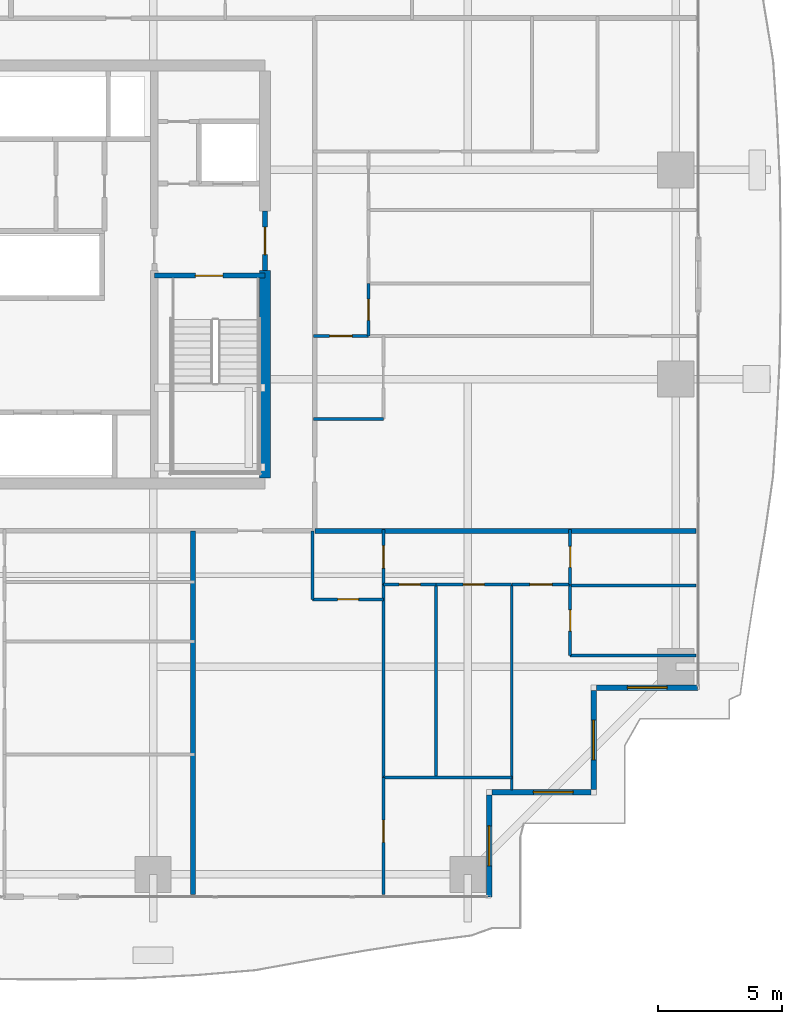
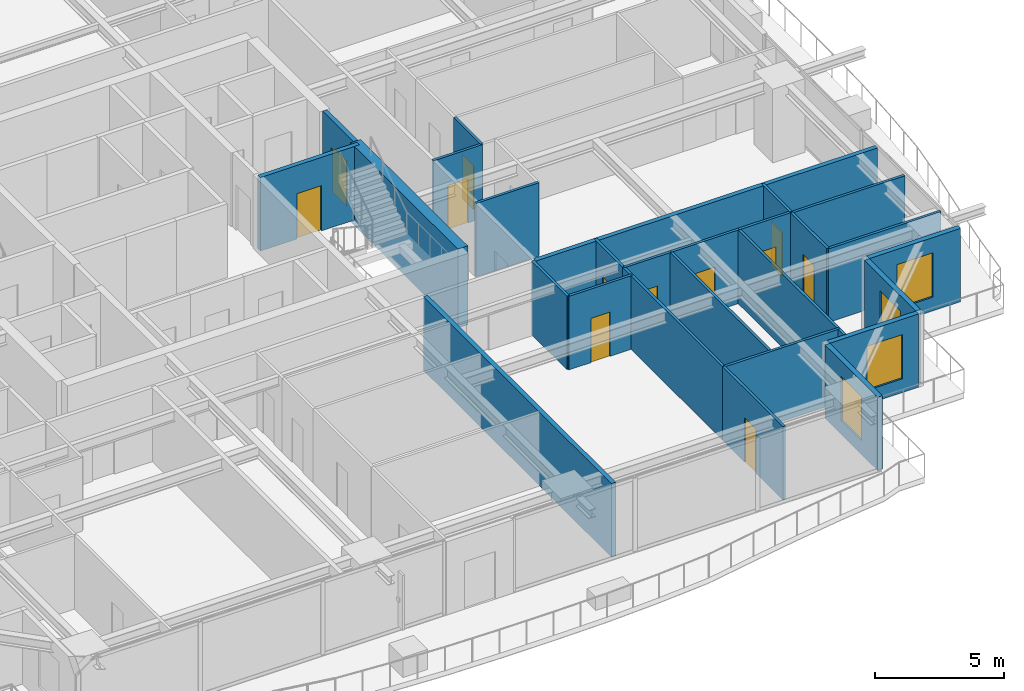
# One storey, part 29 of 39: 27 walls, 12 doors, 4 windows, 16 openings.
"""IFC4 building model written with IfcOpenShell, lengths in metres."""

from ifc_helpers import new_model, si_unit, direction, frame, frame_2d, origin, place, context, subcontext, project, spatial, rectangle, extrude, source, transform, mapped, material, layer, layer_set, type_object, element, fill, save


model = new_model("IFC4")

# Units and contexts
model_context = context("Model", 3, precision=1e-05, world=origin(), true_north=direction((0.0, 1.0)))
body_context = subcontext(model_context, "Body", "Model", "MODEL_VIEW")
ifc_project = project(units=[si_unit("LENGTHUNIT", "METRE"), si_unit("AREAUNIT", "SQUARE_METRE"), si_unit("VOLUMEUNIT", "CUBIC_METRE"), si_unit("PLANEANGLEUNIT", "RADIAN"), si_unit("MASSUNIT", "GRAM", prefix="KILO")], contexts=[model_context])

# Site, building, storey
site_placement = place(None, origin())
site = spatial("IfcSite", under=ifc_project, at=site_placement, CompositionType="ELEMENT")
building_placement = place(site_placement, origin())
building = spatial("IfcBuilding", under=site, at=building_placement, Name="Serunith Strait Residences", CompositionType="ELEMENT")
storey_placement = place(building_placement, frame((0.0, 0.0, 64.199951171875)))
storey = spatial("IfcBuildingStorey", under=building, at=storey_placement, Name="L15", CompositionType="ELEMENT", Elevation=64.199951171875)

# Wall, opening, window
ifc_material_1 = material(Name="Pale-Champagne Aluminium Insulated Panel", Category="aluminium")
ifc_layer_1 = layer(ifc_material_1, 0.219970703125, Name="Pale-Champagne Aluminium Insulated Panel")
ifc_layer_set_1 = layer_set([ifc_layer_1], Name="Pale-Champagne Aluminium Insulated Panel")
wall_type_1 = type_object("IfcWallType", Name="EW-ALUM-220", PredefinedType="ELEMENTEDWALL", material=ifc_layer_set_1)
wall_1_placement = place(storey_placement, frame((50.39990234375, 0.199951171875, 0.0), z_axis=(0.0, 0.0, 1.0), x_axis=(0.0, 1.0, 0.0)))
wall_1 = element("IfcWall", 1, at=wall_1_placement, inside=storey, type_object=wall_type_1, Name="L15 Girih Serrated Corner Wall 02", PredefinedType="ELEMENTEDWALL", context=body_context, shape_type="SweptSolid", body=[
    extrude(rectangle(XDim=4.090087890625, YDim=0.219970703125, at=frame_2d((2.044921875, 0.0))), origin(), (0.0, 0.0, 1.0), 3.47509765625),
])
opening_1_placement = place(wall_1_placement, frame((1.2451171875, 0.0, 0.64990234375)))
opening_1 = element("IfcOpeningElement", 2, at=opening_1_placement, cuts=wall_1, Name="Opening W-02", PredefinedType="OPENING", context=body_context, shape_type="SweptSolid", body=[
    extrude(rectangle(XDim=1.60009765625, YDim=2.10009765625, at=frame_2d((0.800048828125, 1.050048828125))), frame((0.0, 0.1201171875, 0.0), z_axis=(0.0, -1.0, 0.0), x_axis=(1.0, 0.0, 0.0)), (0.0, 0.0, 1.0), 0.239990234375),
])
ifc_material_2 = material(Name="Ceramic-Fritted Operable Aluminium Window Glass", Category="aluminium")
window_type = type_object("IfcWindowType", Name="WIN-C2", PartitioningType="DOUBLE_PANEL_VERTICAL", PredefinedType="WINDOW", material=ifc_material_2)
shared_shape_1 = source(origin(), body_context, "Body", "SweptSolid", [
    extrude(rectangle(XDim=1.60009765625, YDim=2.10009765625, at=frame_2d((0.800048828125, 1.050048828125))), frame((0.0, 0.030029296875, 0.0), z_axis=(0.0, -1.0, 0.0), x_axis=(1.0, 0.0, 0.0)), (0.0, 0.0, 1.0), 0.06005859375),
])
window_1_placement = place(opening_1_placement, origin())
window_1 = element("IfcWindow", 3, at=window_1_placement, inside=storey, type_object=window_type, Name="L15 Corner Operable Fritted Window 02", OverallHeight=2.10009765625, OverallWidth=1.60009765625, PartitioningType="SINGLE_PANEL", PredefinedType="WINDOW", context=body_context, shape_type="MappedRepresentation", body=[
    mapped(shared_shape_1, transform((0.0, 0.0, 0.0), scale=1.0)),
])
fill(opening_1, window_1)

wall_2_placement = place(storey_placement, frame((50.510009765625, 4.39990234375, 0.0), z_axis=(0.0, 0.0, 1.0), x_axis=(1.0, 0.0, 0.0)))
wall_2 = element("IfcWall", 4, at=wall_2_placement, inside=storey, type_object=wall_type_1, Name="L15 Girih Serrated Corner Wall 03", PredefinedType="ELEMENTEDWALL", context=body_context, shape_type="SweptSolid", body=[
    extrude(rectangle(XDim=3.97998046875, YDim=0.219970703125, at=frame_2d((1.989990234375, 0.0))), origin(), (0.0, 0.0, 1.0), 3.47509765625),
])
opening_2_placement = place(wall_2_placement, frame((1.666015625, 0.0, 0.64990234375)))
opening_2 = element("IfcOpeningElement", 5, at=opening_2_placement, cuts=wall_2, Name="Opening W-02", PredefinedType="OPENING", context=body_context, shape_type="SweptSolid", body=[
    extrude(rectangle(XDim=1.60009765625, YDim=2.10009765625, at=frame_2d((0.800048828125, 1.050048828125))), frame((0.0, 0.1201171875, 0.0), z_axis=(0.0, -1.0, 0.0), x_axis=(1.0, 0.0, 0.0)), (0.0, 0.0, 1.0), 0.239990234375),
])
window_2_placement = place(opening_2_placement, origin())
window_2 = element("IfcWindow", 6, at=window_2_placement, inside=storey, type_object=window_type, Name="L15 Corner Operable Fritted Window 03", OverallHeight=2.10009765625, OverallWidth=1.60009765625, PartitioningType="SINGLE_PANEL", PredefinedType="WINDOW", context=body_context, shape_type="MappedRepresentation", body=[
    mapped(shared_shape_1, transform((0.0, 0.0, 0.0), scale=1.0)),
])
fill(opening_2, window_2)

wall_3_placement = place(storey_placement, frame((54.60009765625, 4.510009765625, 0.0), z_axis=(0.0, 0.0, 1.0), x_axis=(0.0, 1.0, 0.0)))
wall_3 = element("IfcWall", 7, at=wall_3_placement, inside=storey, type_object=wall_type_1, Name="L15 Girih Serrated Corner Wall 04", PredefinedType="ELEMENTEDWALL", context=body_context, shape_type="SweptSolid", body=[
    extrude(rectangle(XDim=3.97998046875, YDim=0.219970703125, at=frame_2d((1.989990234375, 0.0))), origin(), (0.0, 0.0, 1.0), 3.47509765625),
])
opening_3_placement = place(wall_3_placement, frame((1.18994140625, 0.0, 0.64990234375)))
opening_3 = element("IfcOpeningElement", 8, at=opening_3_placement, cuts=wall_3, Name="Opening W-02", PredefinedType="OPENING", context=body_context, shape_type="SweptSolid", body=[
    extrude(rectangle(XDim=1.60009765625, YDim=2.10009765625, at=frame_2d((0.800048828125, 1.050048828125))), frame((0.0, 0.1201171875, 0.0), z_axis=(0.0, -1.0, 0.0), x_axis=(1.0, 0.0, 0.0)), (0.0, 0.0, 1.0), 0.239990234375),
])
window_3_placement = place(opening_3_placement, origin())
window_3 = element("IfcWindow", 9, at=window_3_placement, inside=storey, type_object=window_type, Name="L15 Corner Operable Fritted Window 04", OverallHeight=2.10009765625, OverallWidth=1.60009765625, PartitioningType="SINGLE_PANEL", PredefinedType="WINDOW", context=body_context, shape_type="MappedRepresentation", body=[
    mapped(shared_shape_1, transform((0.0, 0.0, 0.0), scale=1.0)),
])
fill(opening_3, window_3)

wall_4_placement = place(storey_placement, frame((54.7099609375, 8.60009765625, 0.0), z_axis=(0.0, 0.0, 1.0), x_axis=(1.0, 0.0, 0.0)))
wall_4 = element("IfcWall", 10, at=wall_4_placement, inside=storey, type_object=wall_type_1, Name="L15 Girih Serrated Corner Wall 05", PredefinedType="ELEMENTEDWALL", context=body_context, shape_type="SweptSolid", body=[
    extrude(rectangle(XDim=4.090087890625, YDim=0.219970703125, at=frame_2d((2.044921875, 0.0))), origin(), (0.0, 0.0, 1.0), 3.47509765625),
])
opening_4_placement = place(wall_4_placement, frame((1.2451171875, 0.0, 0.64990234375)))
opening_4 = element("IfcOpeningElement", 11, at=opening_4_placement, cuts=wall_4, Name="Opening W-02", PredefinedType="OPENING", context=body_context, shape_type="SweptSolid", body=[
    extrude(rectangle(XDim=1.60009765625, YDim=2.10009765625, at=frame_2d((0.800048828125, 1.050048828125))), frame((0.0, 0.1201171875, 0.0), z_axis=(0.0, -1.0, 0.0), x_axis=(1.0, 0.0, 0.0)), (0.0, 0.0, 1.0), 0.239990234375),
])
window_4_placement = place(opening_4_placement, origin())
window_4 = element("IfcWindow", 12, at=window_4_placement, inside=storey, type_object=window_type, Name="L15 Corner Operable Fritted Window 05", OverallHeight=2.10009765625, OverallWidth=1.60009765625, PartitioningType="SINGLE_PANEL", PredefinedType="WINDOW", context=body_context, shape_type="MappedRepresentation", body=[
    mapped(shared_shape_1, transform((0.0, 0.0, 0.0), scale=1.0)),
])
fill(opening_4, window_4)

# Wall, opening, door
ifc_material_3 = material(Name="Lightweight steel-stud gypsum partition", Category="steel")
ifc_layer_2 = layer(ifc_material_3, 0.1201171875, Name="Lightweight steel-stud gypsum partition")
ifc_layer_set_2 = layer_set([ifc_layer_2], Name="Lightweight steel-stud gypsum partition")
wall_type_2 = type_object("IfcWallType", Name="IW-PART-120", PredefinedType="PARTITIONING", material=ifc_layer_set_2)
wall_5_placement = place(storey_placement, frame((43.31005859375, 12.14990234375, 0.0), z_axis=(0.0, 0.0, 1.0), x_axis=(1.0, 0.0, 0.0)))
wall_5 = element("IfcWall", 13, at=wall_5_placement, inside=storey, type_object=wall_type_2, Name="L15 Partition Wall 049", PredefinedType="PARTITIONING", context=body_context, shape_type="SweptSolid", body=[
    extrude(rectangle(XDim=2.849853515625, YDim=0.1201171875, at=frame_2d((1.4248046875, 0.0))), origin(), (0.0, 0.0, 1.0), 3.489990234375),
])
opening_5_placement = place(wall_5_placement, frame((1.0, 0.0, 0.0)))
opening_5 = element("IfcOpeningElement", 14, at=opening_5_placement, cuts=wall_5, Name="Opening D-RM850", PredefinedType="OPENING", context=body_context, shape_type="SweptSolid", body=[
    extrude(rectangle(XDim=0.85009765625, YDim=2.10009765625, at=frame_2d((0.425048828125, 1.050048828125))), frame((0.0, 0.070068359375, 0.0), z_axis=(0.0, -1.0, 0.0), x_axis=(1.0, 0.0, 0.0)), (0.0, 0.0, 1.0), 0.14013671875),
])
ifc_material_4 = material(Name="Engineered timber flush study and kitchen door", Category="wood")
door_type_1 = type_object("IfcDoorType", Name="ID-ROOM-850", OperationType="NOTDEFINED", PredefinedType="DOOR", material=ifc_material_4)
shared_shape_2 = source(origin(), body_context, "Body", "SweptSolid", [
    extrude(rectangle(XDim=0.85009765625, YDim=2.10009765625, at=frame_2d((0.425048828125, 1.050048828125))), frame((0.0, 0.02490234375, 0.0), z_axis=(0.0, -1.0, 0.0), x_axis=(1.0, 0.0, 0.0)), (0.0, 0.0, 1.0), 0.050048828125),
])
door_1_placement = place(opening_5_placement, origin())
door_1 = element("IfcDoor", 15, at=door_1_placement, inside=storey, type_object=door_type_1, Name="L15 Kitchen 1503 Door", OperationType="SINGLE_SWING_LEFT", OverallHeight=2.10009765625, OverallWidth=0.85009765625, PredefinedType="DOOR", context=body_context, shape_type="MappedRepresentation", body=[
    mapped(shared_shape_2, transform((0.0, 0.0, 0.0), scale=1.0)),
])
fill(opening_5, door_1)

# Wall
wall_6_placement = place(storey_placement, frame((43.31005859375, 12.14990234375, 0.0), z_axis=(0.0, 0.0, 1.0), x_axis=(0.0, 1.0, 0.0)))
element("IfcWall", 16, at=wall_6_placement, inside=storey, type_object=wall_type_2, Name="L15 Partition Wall 050", PredefinedType="PARTITIONING", context=body_context, shape_type="SweptSolid", body=[
    extrude(rectangle(XDim=2.748046875, YDim=0.1201171875, at=frame_2d((1.3740234375, 0.0))), origin(), (0.0, 0.0, 1.0), 3.489990234375),
])

# Wall, opening, door
wall_7_placement = place(storey_placement, frame((46.159912109375, 12.75, 0.0), z_axis=(0.0, 0.0, 1.0), x_axis=(0.0, 1.0, 0.0)))
wall_7 = element("IfcWall", 17, at=wall_7_placement, inside=storey, type_object=wall_type_2, Name="L15 Partition Wall 051", PredefinedType="PARTITIONING", context=body_context, shape_type="SweptSolid", body=[
    extrude(rectangle(XDim=2.2099609375, YDim=0.1201171875, at=frame_2d((1.10498046875, 0.0))), origin(), (0.0, 0.0, 1.0), 3.489990234375),
])
opening_6_placement = place(wall_7_placement, frame((0.655029296875, 0.0, 0.0)))
opening_6 = element("IfcOpeningElement", 18, at=opening_6_placement, cuts=wall_7, Name="Opening D-RM900", PredefinedType="OPENING", context=body_context, shape_type="SweptSolid", body=[
    extrude(rectangle(XDim=0.89990234375, YDim=2.10009765625, at=frame_2d((0.449951171875, 1.050048828125))), frame((0.0, 0.070068359375, 0.0), z_axis=(0.0, -1.0, 0.0), x_axis=(1.0, 0.0, 0.0)), (0.0, 0.0, 1.0), 0.14013671875),
])
ifc_material_5 = material(Name="Engineered timber flush bedroom door", Category="wood")
door_type_2 = type_object("IfcDoorType", Name="ID-ROOM-900", OperationType="NOTDEFINED", PredefinedType="DOOR", material=ifc_material_5)
shared_shape_3 = source(origin(), body_context, "Body", "SweptSolid", [
    extrude(rectangle(XDim=0.89990234375, YDim=2.10009765625, at=frame_2d((0.449951171875, 1.050048828125))), frame((0.0, 0.02490234375, 0.0), z_axis=(0.0, -1.0, 0.0), x_axis=(1.0, 0.0, 0.0)), (0.0, 0.0, 1.0), 0.050048828125),
])
door_2_placement = place(opening_6_placement, origin())
door_2 = element("IfcDoor", 19, at=door_2_placement, inside=storey, type_object=door_type_2, Name="L15 Hall E 1503 Door", OperationType="SINGLE_SWING_RIGHT", OverallHeight=2.10009765625, OverallWidth=0.89990234375, PredefinedType="DOOR", context=body_context, shape_type="MappedRepresentation", body=[
    mapped(shared_shape_3, transform((0.0, 0.0, 0.0), scale=1.0)),
])
fill(opening_6, door_2)

wall_8_placement = place(storey_placement, frame((46.159912109375, 0.294921875, 0.0), z_axis=(0.0, 0.0, 1.0), x_axis=(0.0, 1.0, 0.0)))
wall_8 = element("IfcWall", 20, at=wall_8_placement, inside=storey, type_object=wall_type_2, Name="L15 Partition Wall 052", PredefinedType="PARTITIONING", context=body_context, shape_type="SweptSolid", body=[
    extrude(rectangle(XDim=4.693115234375, YDim=0.1201171875, at=frame_2d((2.3466796875, 0.0))), origin(), (0.0, 0.0, 1.0), 3.489990234375),
])
opening_7_placement = place(wall_8_placement, frame((2.0859375, 0.0, 0.0)))
opening_7 = element("IfcOpeningElement", 21, at=opening_7_placement, cuts=wall_8, Name="Opening D-RM900", PredefinedType="OPENING", context=body_context, shape_type="SweptSolid", body=[
    extrude(rectangle(XDim=0.89990234375, YDim=2.10009765625, at=frame_2d((0.449951171875, 1.050048828125))), frame((0.0, 0.070068359375, 0.0), z_axis=(0.0, -1.0, 0.0), x_axis=(1.0, 0.0, 0.0)), (0.0, 0.0, 1.0), 0.14013671875),
])
door_3_placement = place(opening_7_placement, origin())
door_3 = element("IfcDoor", 22, at=door_3_placement, inside=storey, type_object=door_type_2, Name="L15 Study 1 1503 Door", OperationType="SINGLE_SWING_LEFT", OverallHeight=2.10009765625, OverallWidth=0.89990234375, PredefinedType="DOOR", context=body_context, shape_type="MappedRepresentation", body=[
    mapped(shared_shape_3, transform((0.0, 0.0, 0.0), scale=1.0)),
])
fill(opening_7, door_3)

# Walls
wall_9_placement = place(storey_placement, frame((46.159912109375, 4.989990234375, 0.0), z_axis=(0.0, 0.0, 1.0), x_axis=(0.0, 1.0, 0.0)))
element("IfcWall", 23, at=wall_9_placement, inside=storey, type_object=wall_type_2, Name="L15 Partition Wall 053", PredefinedType="PARTITIONING", context=body_context, shape_type="SweptSolid", body=[
    extrude(rectangle(XDim=7.758056640625, YDim=0.1201171875, at=frame_2d((3.87890625, 0.0))), origin(), (0.0, 0.0, 1.0), 3.489990234375),
])
wall_10_placement = place(storey_placement, frame((46.159912109375, 4.988037109375, 0.0), z_axis=(0.0, 0.0, 1.0), x_axis=(1.0, 0.0, 0.0)))
element("IfcWall", 24, at=wall_10_placement, inside=storey, type_object=wall_type_2, Name="L15 Partition Wall 054", PredefinedType="PARTITIONING", context=body_context, shape_type="SweptSolid", body=[
    extrude(rectangle(XDim=5.150146484375, YDim=0.1201171875, at=frame_2d((2.5751953125, 0.0))), origin(), (0.0, 0.0, 1.0), 3.489990234375),
])
wall_11_placement = place(storey_placement, frame((51.31005859375, 4.4951171875, 0.0), z_axis=(0.0, 0.0, 1.0), x_axis=(0.0, 1.0, 0.0)))
element("IfcWall", 25, at=wall_11_placement, inside=storey, type_object=wall_type_2, Name="L15 Partition Wall 055", PredefinedType="PARTITIONING", context=body_context, shape_type="SweptSolid", body=[
    extrude(rectangle(XDim=8.2548828125, YDim=0.1201171875, at=frame_2d((4.12744140625, 0.0))), origin(), (0.0, 0.0, 1.0), 3.489990234375),
])
wall_12_placement = place(storey_placement, frame((48.260009765625, 4.988037109375, 0.0), z_axis=(0.0, 0.0, 1.0), x_axis=(0.0, 1.0, 0.0)))
element("IfcWall", 26, at=wall_12_placement, inside=storey, type_object=wall_type_2, Name="L15 Partition Wall 056", PredefinedType="PARTITIONING", context=body_context, shape_type="SweptSolid", body=[
    extrude(rectangle(XDim=7.761962890625, YDim=0.1201171875, at=frame_2d((3.880859375, 0.0))), origin(), (0.0, 0.0, 1.0), 3.489990234375),
])

# Wall, opening, door
wall_13_placement = place(storey_placement, frame((46.159912109375, 12.75, 0.0), z_axis=(0.0, 0.0, 1.0), x_axis=(1.0, 0.0, 0.0)))
wall_13 = element("IfcWall", 27, at=wall_13_placement, inside=storey, type_object=wall_type_2, Name="L15 Partition Wall 057", PredefinedType="PARTITIONING", context=body_context, shape_type="SweptSolid", body=[
    extrude(rectangle(XDim=2.10009765625, YDim=0.1201171875, at=frame_2d((1.050048828125, 0.0))), origin(), (0.0, 0.0, 1.0), 3.489990234375),
])
opening_8_placement = place(wall_13_placement, frame((0.625, 0.0, 0.0)))
opening_8 = element("IfcOpeningElement", 28, at=opening_8_placement, cuts=wall_13, Name="Opening D-BTH850", PredefinedType="OPENING", context=body_context, shape_type="SweptSolid", body=[
    extrude(rectangle(XDim=0.85009765625, YDim=2.10009765625, at=frame_2d((0.425048828125, 1.050048828125))), frame((0.0, 0.070068359375, 0.0), z_axis=(0.0, -1.0, 0.0), x_axis=(1.0, 0.0, 0.0)), (0.0, 0.0, 1.0), 0.14013671875),
])
ifc_material_6 = material(Name="Moisture-resistant timber bathroom door", Category="wood")
door_type_3 = type_object("IfcDoorType", Name="ID-BATH-850", OperationType="NOTDEFINED", PredefinedType="DOOR", material=ifc_material_6)
door_4_placement = place(opening_8_placement, origin())
door_4 = element("IfcDoor", 29, at=door_4_placement, inside=storey, type_object=door_type_3, Name="L15 Bathroom 1503 Door", OperationType="SINGLE_SWING_RIGHT", OverallHeight=2.10009765625, OverallWidth=0.85009765625, PredefinedType="DOOR", context=body_context, shape_type="MappedRepresentation", body=[
    mapped(shared_shape_2, transform((0.0, 0.0, 0.0), scale=1.0)),
])
fill(opening_8, door_4)

wall_14_placement = place(storey_placement, frame((48.261962890625, 12.75, 0.0), z_axis=(0.0, 0.0, 1.0), x_axis=(1.0, 0.0, 0.0)))
wall_14 = element("IfcWall", 30, at=wall_14_placement, inside=storey, type_object=wall_type_2, Name="L15 Partition Wall 058", PredefinedType="PARTITIONING", context=body_context, shape_type="SweptSolid", body=[
    extrude(rectangle(XDim=3.048095703125, YDim=0.1201171875, at=frame_2d((1.52392578125, 0.0))), origin(), (0.0, 0.0, 1.0), 3.489990234375),
])
opening_9_placement = place(wall_14_placement, frame((1.09912109375, 0.0, 0.0)))
opening_9 = element("IfcOpeningElement", 31, at=opening_9_placement, cuts=wall_14, Name="Opening D-RM850", PredefinedType="OPENING", context=body_context, shape_type="SweptSolid", body=[
    extrude(rectangle(XDim=0.85009765625, YDim=2.10009765625, at=frame_2d((0.425048828125, 1.050048828125))), frame((0.0, 0.070068359375, 0.0), z_axis=(0.0, -1.0, 0.0), x_axis=(1.0, 0.0, 0.0)), (0.0, 0.0, 1.0), 0.14013671875),
])
door_5_placement = place(opening_9_placement, origin())
door_5 = element("IfcDoor", 32, at=door_5_placement, inside=storey, type_object=door_type_1, Name="L15 Study 1503 Door", OperationType="SINGLE_SWING_LEFT", OverallHeight=2.10009765625, OverallWidth=0.85009765625, PredefinedType="DOOR", context=body_context, shape_type="MappedRepresentation", body=[
    mapped(shared_shape_2, transform((0.0, 0.0, 0.0), scale=1.0)),
])
fill(opening_9, door_5)

wall_15_placement = place(storey_placement, frame((51.31201171875, 12.75, 0.0), z_axis=(0.0, 0.0, 1.0), x_axis=(1.0, 0.0, 0.0)))
wall_15 = element("IfcWall", 33, at=wall_15_placement, inside=storey, type_object=wall_type_2, Name="L15 Partition Wall 059", PredefinedType="PARTITIONING", context=body_context, shape_type="SweptSolid", body=[
    extrude(rectangle(XDim=2.347900390625, YDim=0.1201171875, at=frame_2d((1.173828125, 0.0))), origin(), (0.0, 0.0, 1.0), 3.489990234375),
])
opening_10_placement = place(wall_15_placement, frame((0.72412109375, 0.0, 0.0)))
opening_10 = element("IfcOpeningElement", 34, at=opening_10_placement, cuts=wall_15, Name="Opening D-RM900", PredefinedType="OPENING", context=body_context, shape_type="SweptSolid", body=[
    extrude(rectangle(XDim=0.89990234375, YDim=2.10009765625, at=frame_2d((0.449951171875, 1.050048828125))), frame((0.0, 0.070068359375, 0.0), z_axis=(0.0, -1.0, 0.0), x_axis=(1.0, 0.0, 0.0)), (0.0, 0.0, 1.0), 0.14013671875),
])
door_6_placement = place(opening_10_placement, origin())
door_6 = element("IfcDoor", 35, at=door_6_placement, inside=storey, type_object=door_type_2, Name="L15 Master Bedroom E 1503 Door", OperationType="SINGLE_SWING_RIGHT", OverallHeight=2.10009765625, OverallWidth=0.89990234375, PredefinedType="DOOR", context=body_context, shape_type="MappedRepresentation", body=[
    mapped(shared_shape_3, transform((0.0, 0.0, 0.0), scale=1.0)),
])
fill(opening_10, door_6)

# Walls
wall_16_placement = place(storey_placement, frame((53.659912109375, 9.89404296875, 0.0), z_axis=(0.0, 0.0, 1.0), x_axis=(1.0, 0.0, 0.0)))
element("IfcWall", 36, at=wall_16_placement, inside=storey, type_object=wall_type_2, Name="L15 Partition Wall 060", PredefinedType="PARTITIONING", context=body_context, shape_type="SweptSolid", body=[
    extrude(rectangle(XDim=5.045166015625, YDim=0.1201171875, at=frame_2d((2.5224609375, 0.0))), origin(), (0.0, 0.0, 1.0), 3.489990234375),
])
wall_17_placement = place(storey_placement, frame((53.662109375, 12.701904296875, 0.0), z_axis=(0.0, 0.0, 1.0), x_axis=(1.0, 0.0, 0.0)))
element("IfcWall", 37, at=wall_17_placement, inside=storey, type_object=wall_type_2, Name="L15 Partition Wall 061", PredefinedType="PARTITIONING", context=body_context, shape_type="SweptSolid", body=[
    extrude(rectangle(XDim=5.04296875, YDim=0.1201171875, at=frame_2d((2.521484375, 0.0))), origin(), (0.0, 0.0, 1.0), 3.489990234375),
])

# Wall, opening, door
wall_18_placement = place(storey_placement, frame((53.659912109375, 9.89404296875, 0.0), z_axis=(0.0, 0.0, 1.0), x_axis=(0.0, 1.0, 0.0)))
wall_18 = element("IfcWall", 38, at=wall_18_placement, inside=storey, type_object=wall_type_2, Name="L15 Partition Wall 062", PredefinedType="PARTITIONING", context=body_context, shape_type="SweptSolid", body=[
    extrude(rectangle(XDim=2.807861328125, YDim=0.1201171875, at=frame_2d((1.40380859375, 0.0))), origin(), (0.0, 0.0, 1.0), 3.489990234375),
])
opening_11_placement = place(wall_18_placement, frame((0.97900390625, 0.0, 0.0)))
opening_11 = element("IfcOpeningElement", 39, at=opening_11_placement, cuts=wall_18, Name="Opening D-BTH850", PredefinedType="OPENING", context=body_context, shape_type="SweptSolid", body=[
    extrude(rectangle(XDim=0.85009765625, YDim=2.10009765625, at=frame_2d((0.425048828125, 1.050048828125))), frame((0.0, 0.070068359375, 0.0), z_axis=(0.0, -1.0, 0.0), x_axis=(1.0, 0.0, 0.0)), (0.0, 0.0, 1.0), 0.14013671875),
])
door_7_placement = place(opening_11_placement, origin())
door_7 = element("IfcDoor", 40, at=door_7_placement, inside=storey, type_object=door_type_3, Name="L15 En-suite Bathroom E 1503 Door", OperationType="SINGLE_SWING_LEFT", OverallHeight=2.10009765625, OverallWidth=0.85009765625, PredefinedType="DOOR", context=body_context, shape_type="MappedRepresentation", body=[
    mapped(shared_shape_2, transform((0.0, 0.0, 0.0), scale=1.0)),
])
fill(opening_11, door_7)

wall_19_placement = place(storey_placement, frame((53.659912109375, 12.75, 0.0), z_axis=(0.0, 0.0, 1.0), x_axis=(0.0, 1.0, 0.0)))
wall_19 = element("IfcWall", 41, at=wall_19_placement, inside=storey, type_object=wall_type_2, Name="L15 Partition Wall 063", PredefinedType="PARTITIONING", context=body_context, shape_type="SweptSolid", body=[
    extrude(rectangle(XDim=2.2099609375, YDim=0.1201171875, at=frame_2d((1.10498046875, 0.0))), origin(), (0.0, 0.0, 1.0), 3.489990234375),
])
opening_12_placement = place(wall_19_placement, frame((0.679931640625, 0.0, 0.0)))
opening_12 = element("IfcOpeningElement", 42, at=opening_12_placement, cuts=wall_19, Name="Opening D-RM850", PredefinedType="OPENING", context=body_context, shape_type="SweptSolid", body=[
    extrude(rectangle(XDim=0.85009765625, YDim=2.10009765625, at=frame_2d((0.425048828125, 1.050048828125))), frame((0.0, 0.070068359375, 0.0), z_axis=(0.0, -1.0, 0.0), x_axis=(1.0, 0.0, 0.0)), (0.0, 0.0, 1.0), 0.14013671875),
])
door_8_placement = place(opening_12_placement, origin())
door_8 = element("IfcDoor", 43, at=door_8_placement, inside=storey, type_object=door_type_1, Name="L15 Wardrobe E 1503 Door", OperationType="SINGLE_SWING_RIGHT", OverallHeight=2.10009765625, OverallWidth=0.85009765625, PredefinedType="DOOR", context=body_context, shape_type="MappedRepresentation", body=[
    mapped(shared_shape_2, transform((0.0, 0.0, 0.0), scale=1.0)),
])
fill(opening_12, door_8)

# Wall
wall_20_placement = place(storey_placement, frame((46.14990234375, 19.39990234375, 0.0), z_axis=(0.0, 0.0, 1.0), x_axis=(-1.0, 0.0, 0.0)))
element("IfcWall", 44, at=wall_20_placement, inside=storey, type_object=wall_type_2, Name="L15 Partition Wall 108", PredefinedType="PARTITIONING", context=body_context, shape_type="SweptSolid", body=[
    extrude(rectangle(XDim=2.809814453125, YDim=0.1201171875, at=frame_2d((1.40478515625, 0.0))), origin(), (0.0, 0.0, 1.0), 3.489990234375),
])

# Wall, opening, door
wall_21_placement = place(storey_placement, frame((45.550048828125, 22.72998046875, 0.0), z_axis=(0.0, 0.0, 1.0), x_axis=(-1.0, 0.0, 0.0)))
wall_21 = element("IfcWall", 45, at=wall_21_placement, inside=storey, type_object=wall_type_2, Name="L15 Partition Wall 109", PredefinedType="PARTITIONING", context=body_context, shape_type="SweptSolid", body=[
    extrude(rectangle(XDim=2.2099609375, YDim=0.1201171875, at=frame_2d((1.10498046875, 0.0))), origin(), (0.0, 0.0, 1.0), 3.489990234375),
])
opening_13_placement = place(wall_21_placement, frame((0.655029296875, 0.0, 0.0)))
opening_13 = element("IfcOpeningElement", 46, at=opening_13_placement, cuts=wall_21, Name="Opening D-RM900", PredefinedType="OPENING", context=body_context, shape_type="SweptSolid", body=[
    extrude(rectangle(XDim=0.89990234375, YDim=2.10009765625, at=frame_2d((0.449951171875, 1.050048828125))), frame((0.0, 0.070068359375, 0.0), z_axis=(0.0, -1.0, 0.0), x_axis=(1.0, 0.0, 0.0)), (0.0, 0.0, 1.0), 0.14013671875),
])
door_9_placement = place(opening_13_placement, origin())
door_9 = element("IfcDoor", 47, at=door_9_placement, inside=storey, type_object=door_type_2, Name="L15 Hall E 1508 Door", OperationType="SINGLE_SWING_LEFT", OverallHeight=2.10009765625, OverallWidth=0.89990234375, PredefinedType="DOOR", context=body_context, shape_type="MappedRepresentation", body=[
    mapped(shared_shape_3, transform((0.0, 0.0, 0.0), scale=1.0)),
])
fill(opening_13, door_9)

wall_22_placement = place(storey_placement, frame((45.550048828125, 22.72998046875, 0.0), z_axis=(0.0, 0.0, 1.0), x_axis=(0.0, 1.0, 0.0)))
wall_22 = element("IfcWall", 48, at=wall_22_placement, inside=storey, type_object=wall_type_2, Name="L15 Partition Wall 115", PredefinedType="PARTITIONING", context=body_context, shape_type="SweptSolid", body=[
    extrude(rectangle(XDim=2.10009765625, YDim=0.1201171875, at=frame_2d((1.050048828125, 0.0))), origin(), (0.0, 0.0, 1.0), 3.489990234375),
])
opening_14_placement = place(wall_22_placement, frame((0.625, 0.0, 0.0)))
opening_14 = element("IfcOpeningElement", 49, at=opening_14_placement, cuts=wall_22, Name="Opening D-BTH850", PredefinedType="OPENING", context=body_context, shape_type="SweptSolid", body=[
    extrude(rectangle(XDim=0.85009765625, YDim=2.10009765625, at=frame_2d((0.425048828125, 1.050048828125))), frame((0.0, 0.070068359375, 0.0), z_axis=(0.0, -1.0, 0.0), x_axis=(1.0, 0.0, 0.0)), (0.0, 0.0, 1.0), 0.14013671875),
])
door_10_placement = place(opening_14_placement, origin())
door_10 = element("IfcDoor", 50, at=door_10_placement, inside=storey, type_object=door_type_3, Name="L15 Bathroom 1508 Door", OperationType="SINGLE_SWING_LEFT", OverallHeight=2.10009765625, OverallWidth=0.85009765625, PredefinedType="DOOR", context=body_context, shape_type="MappedRepresentation", body=[
    mapped(shared_shape_2, transform((0.0, 0.0, 0.0), scale=1.0)),
])
fill(opening_14, door_10)

# Walls
ifc_material_7 = material(Name="Twin-stud acoustic gypsum board partition")
ifc_layer_3 = layer(ifc_material_7, 0.199951171875, Name="Twin-stud acoustic gypsum board partition")
ifc_layer_set_3 = layer_set([ifc_layer_3], Name="Twin-stud acoustic gypsum board partition")
wall_type_3 = type_object("IfcWallType", Name="IW-PARTY-200", PredefinedType="PARTITIONING", material=ifc_layer_set_3)
wall_23_placement = place(storey_placement, frame((38.5, 0.281982421875, 0.0), z_axis=(0.0, 0.0, 1.0), x_axis=(0.0, 1.0, 0.0)))
element("IfcWall", 51, at=wall_23_placement, inside=storey, type_object=wall_type_3, Name="L15 Partition Wall 016", PredefinedType="PARTITIONING", context=body_context, shape_type="SweptSolid", body=[
    extrude(rectangle(XDim=14.617919921875, YDim=0.199951171875, at=frame_2d((7.30908203125, 0.0))), origin(), (0.0, 0.0, 1.0), 3.489990234375),
])
wall_24_placement = place(storey_placement, frame((43.39990234375, 14.89990234375, 0.0), z_axis=(0.0, 0.0, 1.0), x_axis=(1.0, 0.0, 0.0)))
element("IfcWall", 52, at=wall_24_placement, inside=storey, type_object=wall_type_3, Name="L15 Partition Wall 020", PredefinedType="PARTITIONING", context=body_context, shape_type="SweptSolid", body=[
    extrude(rectangle(XDim=15.318115234375, YDim=0.199951171875, at=frame_2d((7.6591796875, 0.0))), origin(), (0.0, 0.0, 1.0), 3.489990234375),
])

# Wall, opening, door
ifc_material_8 = material(Name="Autoclaved aerated concrete blockwork", Category="masonry")
ifc_layer_4 = layer(ifc_material_8, 0.199951171875, Name="Autoclaved aerated concrete blockwork")
ifc_layer_set_4 = layer_set([ifc_layer_4], Name="Autoclaved aerated concrete blockwork")
wall_type_4 = type_object("IfcWallType", Name="IW-SHAFT-200", PredefinedType="STANDARD", material=ifc_layer_set_4)
wall_25_placement = place(storey_placement, frame((36.949951171875, 25.14990234375, 0.0), z_axis=(0.0, 0.0, 1.0), x_axis=(1.0, 0.0, 0.0)))
wall_25 = element("IfcWall", 53, at=wall_25_placement, inside=storey, type_object=wall_type_4, Name="L15 ST-2 North Shaft Wall", PredefinedType="STANDARD", context=body_context, shape_type="SweptSolid", body=[
    extrude(rectangle(XDim=4.449951171875, YDim=0.199951171875, at=frame_2d((2.22509765625, 0.0))), origin(), (0.0, 0.0, 1.0), 3.489990234375),
])
opening_15_placement = place(wall_25_placement, frame((1.64990234375, 0.0, 0.0)))
opening_15 = element("IfcOpeningElement", 54, at=opening_15_placement, cuts=wall_25, Name="Opening FD-1100", PredefinedType="OPENING", context=body_context, shape_type="SweptSolid", body=[
    extrude(rectangle(XDim=1.10009765625, YDim=2.14990234375, at=frame_2d((0.550048828125, 1.074951171875))), frame((0.0, 0.10986328125, 0.0), z_axis=(0.0, -1.0, 0.0), x_axis=(1.0, 0.0, 0.0)), (0.0, 0.0, 1.0), 0.219970703125),
])
ifc_material_9 = material(Name="Galvanised steel fire door leaf", Category="steel")
door_type_4 = type_object("IfcDoorType", Name="FD-STAIR-1100", OperationType="NOTDEFINED", PredefinedType="DOOR", material=ifc_material_9)
shared_shape_4 = source(origin(), body_context, "Body", "SweptSolid", [
    extrude(rectangle(XDim=1.10009765625, YDim=2.14990234375, at=frame_2d((0.550048828125, 1.074951171875))), frame((0.0, 0.02490234375, 0.0), z_axis=(0.0, -1.0, 0.0), x_axis=(1.0, 0.0, 0.0)), (0.0, 0.0, 1.0), 0.050048828125),
])
door_11_placement = place(opening_15_placement, origin())
door_11 = element("IfcDoor", 55, at=door_11_placement, inside=storey, type_object=door_type_4, Name="L15 ST-2 Escape Stair Door", OperationType="SINGLE_SWING_RIGHT", OverallHeight=2.14990234375, OverallWidth=1.10009765625, PredefinedType="DOOR", context=body_context, shape_type="MappedRepresentation", body=[
    mapped(shared_shape_4, transform((0.0, 0.0, 0.0), scale=1.0)),
])
fill(opening_15, door_11)

wall_26_placement = place(storey_placement, frame((41.39990234375, 25.35205078125, 0.0), z_axis=(0.0, 0.0, 1.0), x_axis=(0.0, 1.0, 0.0)))
wall_26 = element("IfcWall", 56, at=wall_26_placement, inside=storey, type_object=wall_type_4, Name="L15 Partition Wall 008", PredefinedType="STANDARD", context=body_context, shape_type="SweptSolid", body=[
    extrude(rectangle(XDim=2.39599609375, YDim=0.199951171875, at=frame_2d((1.197998046875, 0.0))), origin(), (0.0, 0.0, 1.0), 3.489990234375),
])
opening_16_placement = place(wall_26_placement, frame((0.64794921875, 0.0, 0.0)))
opening_16 = element("IfcOpeningElement", 57, at=opening_16_placement, cuts=wall_26, Name="Opening FD-FFL", PredefinedType="OPENING", context=body_context, shape_type="SweptSolid", body=[
    extrude(rectangle(XDim=1.10009765625, YDim=2.14990234375, at=frame_2d((0.550048828125, 1.074951171875))), frame((0.0, 0.10986328125, 0.0), z_axis=(0.0, -1.0, 0.0), x_axis=(1.0, 0.0, 0.0)), (0.0, 0.0, 1.0), 0.219970703125),
])
ifc_material_10 = material(Name="Glazed steel smoke-lobby fire door", Category="steel")
door_type_5 = type_object("IfcDoorType", Name="FD-FFL-1100", OperationType="NOTDEFINED", PredefinedType="DOOR", material=ifc_material_10)
door_12_placement = place(opening_16_placement, origin())
door_12 = element("IfcDoor", 58, at=door_12_placement, inside=storey, type_object=door_type_5, Name="L15 FFL-2 Corridor Fire Door", OperationType="SINGLE_SWING_LEFT", OverallHeight=2.14990234375, OverallWidth=1.10009765625, PredefinedType="DOOR", context=body_context, shape_type="MappedRepresentation", body=[
    mapped(shared_shape_4, transform((0.0, 0.0, 0.0), scale=1.0)),
])
fill(opening_16, door_12)

# Wall
ifc_material_11 = material(Name="Concrete C80/95", Category="concrete")
ifc_layer_5 = layer(ifc_material_11, 0.449951171875, Name="Concrete C80/95")
ifc_layer_set_5 = layer_set([ifc_layer_5], Name="Concrete C80/95")
wall_type_5 = type_object("IfcWallType", Name="SW-450-C80", PredefinedType="SHEAR", material=ifc_layer_set_5)
wall_27_placement = place(storey_placement, frame((41.39990234375, 17.02490234375, -0.260009765625), z_axis=(0.0, 0.0, 1.0), x_axis=(0.0, 1.0, 0.0)))
element("IfcWall", 59, at=wall_27_placement, inside=storey, type_object=wall_type_5, Name="L15 Core East Shear Wall South Pier", PredefinedType="SHEAR", context=body_context, shape_type="SweptSolid", body=[
    extrude(rectangle(XDim=8.3251953125, YDim=0.449951171875, at=frame_2d((4.16259765625, 0.0))), origin(), (0.0, 0.0, 1.0), 3.748046875),
])

save(model, "model.ifc")
